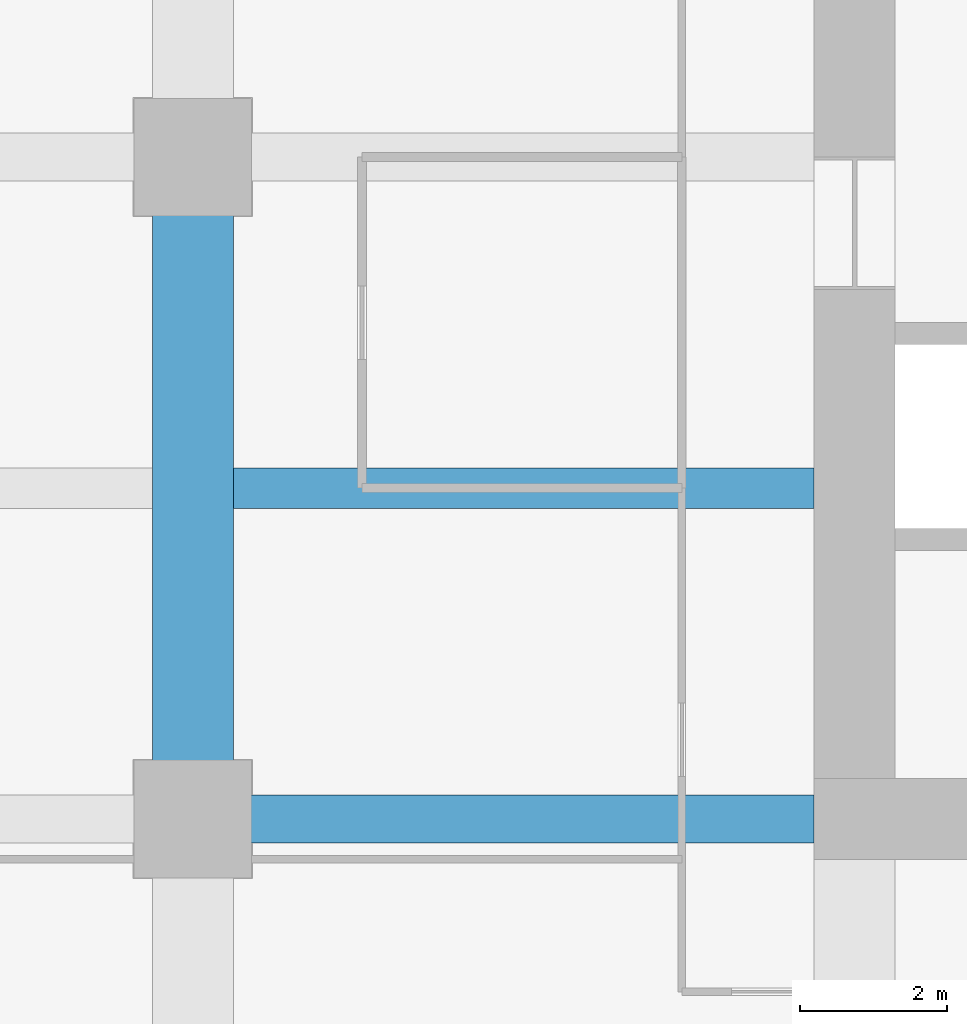
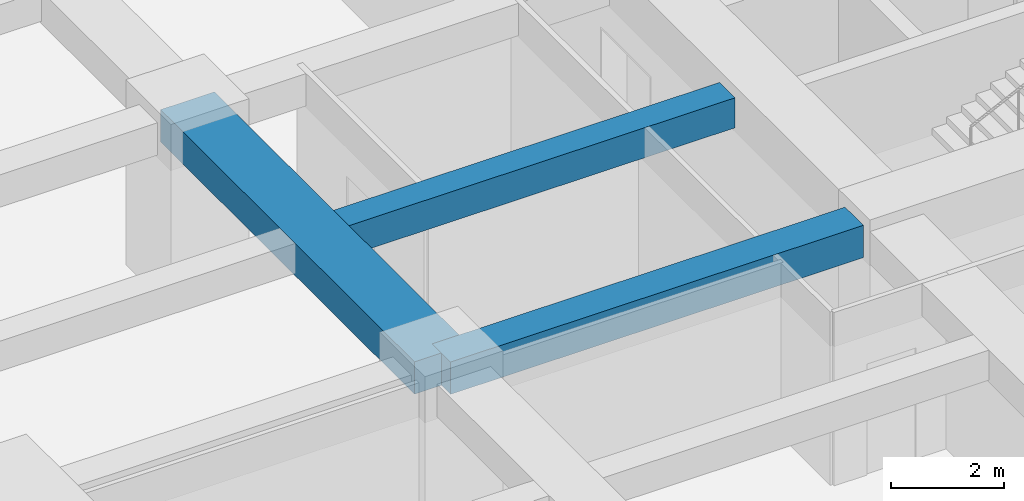
# One storey, part 10 of 32: 3 beams.
"""IFC4 building model written with IfcOpenShell, lengths in metres."""

from ifc_helpers import new_model, si_unit, direction, frame, origin, origin_2d, place, context, subcontext, project, spatial, rectangle, extrude, material, material_profile, profile_set, type_object, element, save


model = new_model("IFC4")

# Units and contexts
model_context = context("Model", 3, precision=1e-05, world=origin(), true_north=direction((0.0, 1.0)))
body_context = subcontext(model_context, "Body", "Model", "MODEL_VIEW")
ifc_project = project(units=[si_unit("LENGTHUNIT", "METRE"), si_unit("AREAUNIT", "SQUARE_METRE"), si_unit("VOLUMEUNIT", "CUBIC_METRE"), si_unit("PLANEANGLEUNIT", "RADIAN"), si_unit("MASSUNIT", "GRAM", prefix="KILO")], contexts=[model_context])

# Site, building, storey
site_placement = place(None, origin())
site = spatial("IfcSite", under=ifc_project, at=site_placement, CompositionType="ELEMENT")
building_placement = place(site_placement, origin())
building = spatial("IfcBuilding", under=site, at=building_placement, Name="Zorevar Civic Tower", CompositionType="ELEMENT")
storey_placement = place(building_placement, frame((0.0, 0.0, 182.199951171875)))
storey = spatial("IfcBuildingStorey", under=building, at=storey_placement, Name="L44", CompositionType="ELEMENT", Elevation=182.199951171875)

# Beams
ifc_material_1 = material(Name="Concrete C50/60", Category="concrete")
ifc_material_profile_1 = material_profile(ifc_material_1, rectangle(XDim=1.10009765625, YDim=0.699951171875, at=origin_2d()), Name="RC 1100x700")
ifc_profile_set_1 = profile_set([ifc_material_profile_1], Name="Concrete C50/60")
beam_type_1 = type_object("IfcBeamType", Name="Beam RC 1100x700", PredefinedType="BEAM", material=ifc_profile_set_1)
beam_1_placement = place(storey_placement, frame((9.0, 18.0, 3.400146484375), z_axis=(0.0, 1.0, 0.0), x_axis=(-1.0, 0.0, 0.0)))
element("IfcBeam", 1, at=beam_1_placement, inside=storey, type_object=beam_type_1, Name="Girder L45", PredefinedType="BEAM", context=body_context, shape_type="SweptSolid", body=[
    extrude(rectangle(XDim=1.10009765625, YDim=0.699951171875, at=origin_2d()), origin(), (0.0, 0.0, 1.0), 9.0),
])
ifc_material_2 = material(Name="Concrete C50/60", Category="concrete")
ifc_material_profile_2 = material_profile(ifc_material_2, rectangle(XDim=0.550048828125, YDim=0.64990234375, at=origin_2d()), Name="RC 550x650")
ifc_profile_set_2 = profile_set([ifc_material_profile_2], Name="Concrete C50/60")
beam_type_2 = type_object("IfcBeamType", Name="Beam RC 550x650", PredefinedType="BEAM", material=ifc_profile_set_2)
beam_2_placement = place(storey_placement, frame((9.550048828125, 22.5, 3.425048828125), z_axis=(1.0, 0.0, 0.0), x_axis=(0.0, 1.0, 0.0)))
element("IfcBeam", 2, at=beam_2_placement, inside=storey, type_object=beam_type_2, Name="Secondary beam L45", PredefinedType="BEAM", context=body_context, shape_type="SweptSolid", body=[
    extrude(rectangle(XDim=0.550048828125, YDim=0.64990234375, at=origin_2d()), origin(), (0.0, 0.0, 1.0), 7.89990234375),
])
ifc_material_3 = material(Name="Concrete C50/60", Category="concrete")
ifc_material_profile_3 = material_profile(ifc_material_3, rectangle(XDim=0.64990234375, YDim=0.699951171875, at=origin_2d()), Name="RC 650x700")
ifc_profile_set_3 = profile_set([ifc_material_profile_3], Name="Concrete C50/60")
beam_type_3 = type_object("IfcBeamType", Name="Beam RC 650x700", PredefinedType="BEAM", material=ifc_profile_set_3)
beam_3_placement = place(storey_placement, frame((9.0, 18.0, 3.400146484375), z_axis=(1.0, 0.0, 0.0), x_axis=(0.0, 1.0, 0.0)))
element("IfcBeam", 3, at=beam_3_placement, inside=storey, type_object=beam_type_3, Name="Girder L45", PredefinedType="BEAM", context=body_context, shape_type="SweptSolid", body=[
    extrude(rectangle(XDim=0.64990234375, YDim=0.699951171875, at=origin_2d()), origin(), (0.0, 0.0, 1.0), 8.449951171875),
])

save(model, "model.ifc")
